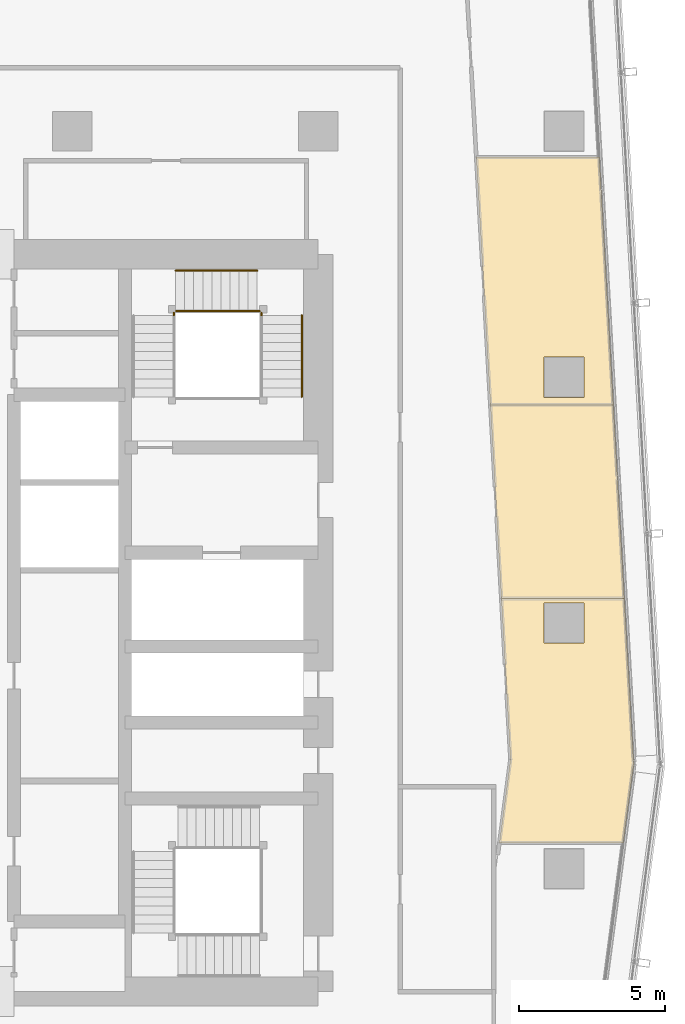
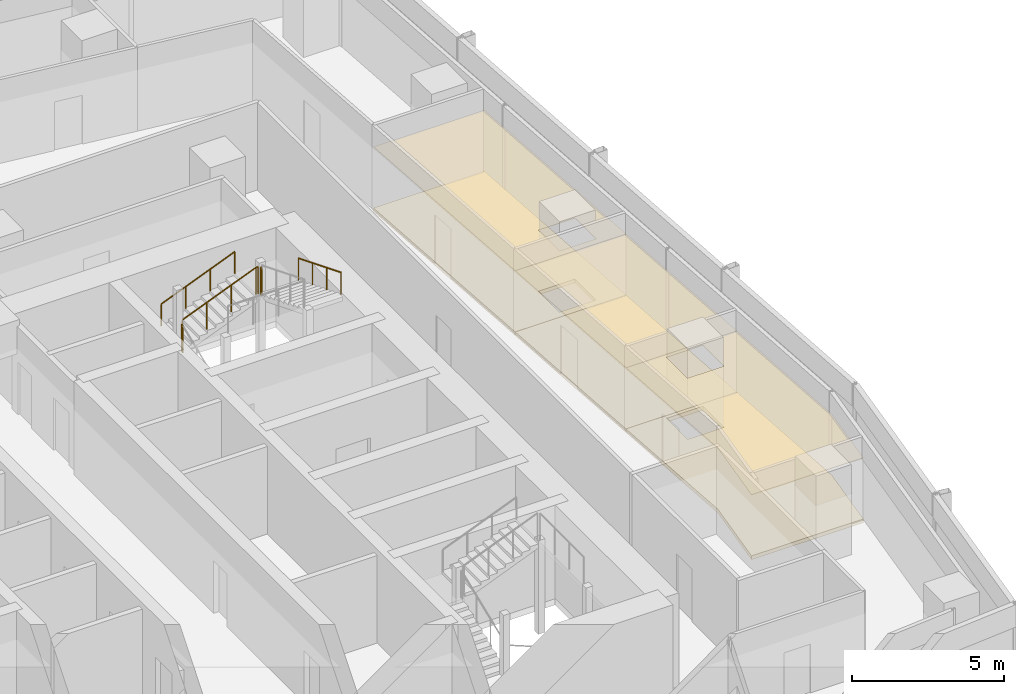
# One storey, part 37 of 38: 6 coverings, 6 railings.
"""IFC4 building model written with IfcOpenShell, lengths in metres."""

from ifc_helpers import new_model, si_unit, direction, frame, origin, origin_2d, place, context, subcontext, project, spatial, polyline, circle, outline, extrude, material, layer, layer_set, type_object, element, save


model = new_model("IFC4")

# Units and contexts
model_context = context("Model", 3, precision=1e-05, world=origin(), true_north=direction((0.0, 1.0)))
body_context = subcontext(model_context, "Body", "Model", "MODEL_VIEW")
ifc_project = project(units=[si_unit("LENGTHUNIT", "METRE"), si_unit("AREAUNIT", "SQUARE_METRE"), si_unit("VOLUMEUNIT", "CUBIC_METRE"), si_unit("PLANEANGLEUNIT", "RADIAN"), si_unit("MASSUNIT", "GRAM", prefix="KILO")], contexts=[model_context])

# Site, building, storey
site_placement = place(None, origin())
site = spatial("IfcSite", under=ifc_project, at=site_placement, CompositionType="ELEMENT")
building_placement = place(site_placement, origin())
building = spatial("IfcBuilding", under=site, at=building_placement, Name="Rekha Terrace Tower", CompositionType="ELEMENT")
storey_placement = place(building_placement, frame((0.0, 0.0, 202.699951171875)))
storey = spatial("IfcBuildingStorey", under=building, at=storey_placement, Name="L51", CompositionType="ELEMENT", Elevation=202.699951171875)

# Coverings
ifc_material_1 = material(Name="Mineral fibre tile in exposed grid", Category="finish")
ifc_layer_1 = layer(ifc_material_1, 0.02001953125)
ifc_layer_set_1 = layer_set([ifc_layer_1], Name="Mineral fibre tile in exposed grid")
covering_type_1 = type_object("IfcCoveringType", Name="CL1 600x1200 office grid ceiling", PredefinedType="CEILING", material=ifc_layer_set_1)
covering_1_placement = place(storey_placement, frame((0.0, 0.0, 2.580078125)))
element("IfcCovering", 1, at=covering_1_placement, inside=storey, type_object=covering_type_1, Name="Ceiling L51-03", PredefinedType="CEILING", context=body_context, shape_type="SweptSolid", body=[
    extrude(outline(polyline([(56.657958984375, 34.43310546875), (56.969970703125, 28.93798828125), (56.592041015625, 26.083984375), (60.8291015625, 26.083984375), (61.18603515625, 28.780029296875), (60.864990234375, 34.43310546875), (56.657958984375, 34.43310546875)]), holes=[polyline([(59.489990234375, 34.2900390625), (59.489990234375, 32.909912109375), (58.110107421875, 32.909912109375), (58.110107421875, 34.2900390625), (59.489990234375, 34.2900390625)])]), origin(), (0.0, 0.0, 1.0), 0.02001953125),
])
covering_2_placement = place(storey_placement, frame((0.0, 0.0, 2.580078125)))
element("IfcCovering", 2, at=covering_2_placement, inside=storey, type_object=covering_type_1, Name="Ceiling L51-04", PredefinedType="CEILING", context=body_context, shape_type="SweptSolid", body=[
    extrude(outline(polyline([(56.657958984375, 34.43408203125), (60.864990234375, 34.43408203125), (60.489013671875, 41.053955078125), (56.282958984375, 41.053955078125), (56.657958984375, 34.43408203125)])), origin(), (0.0, 0.0, 1.0), 0.02001953125),
])
covering_3_placement = place(storey_placement, frame((0.0, 0.0, 2.580078125)))
element("IfcCovering", 3, at=covering_3_placement, inside=storey, type_object=covering_type_1, Name="Ceiling L51-05", PredefinedType="CEILING", context=body_context, shape_type="SweptSolid", body=[
    extrude(outline(polyline([(56.282958984375, 41.054931640625), (60.489013671875, 41.054931640625), (60.009033203125, 49.52001953125), (55.802001953125, 49.52001953125), (56.282958984375, 41.054931640625)]), holes=[polyline([(59.489990234375, 41.31005859375), (58.110107421875, 41.31005859375), (58.110107421875, 42.68994140625), (59.489990234375, 42.68994140625), (59.489990234375, 41.31005859375)])]), origin(), (0.0, 0.0, 1.0), 0.02001953125),
])

# Railings
ifc_material_2 = material(Name="Stainless steel balustrade", Category="steel")
railing_type_1 = type_object("IfcRailingType", Name="GR1 1100 stair guard", PredefinedType="GUARDRAIL", material=ifc_material_2)
railing_1_placement = place(storey_placement, frame((45.52490234375, 44.260009765625, 1.375)))
element("IfcRailing", 4, at=railing_1_placement, inside=storey, type_object=railing_type_1, Name="Guard ST2 L51 flight 2", PredefinedType="GUARDRAIL", context=body_context, shape_type="SweptSolid", body=[
    extrude(circle(Radius=0.02392578125, at=origin_2d()), frame((0.0, 0.0, 1.076171875), z_axis=(0.927443287984, 0.0, 0.373963831907), x_axis=(0.0, 1.0, 0.0)), (0.0, 0.0, 1.0), 3.00830078125),
    extrude(circle(Radius=0.02099609375, at=origin_2d()), origin(), (0.0, 0.0, 1.0), 1.052001953125),
    extrude(circle(Radius=0.02099609375, at=origin_2d()), frame((0.929931640625, 0.0, 0.375)), (0.0, 0.0, 1.0), 1.052001953125),
    extrude(circle(Radius=0.02099609375, at=origin_2d()), frame((1.860107421875, 0.0, 0.75)), (0.0, 0.0, 1.0), 1.052001953125),
    extrude(circle(Radius=0.02099609375, at=origin_2d()), frame((2.7900390625, 0.0, 1.125)), (0.0, 0.0, 1.0), 1.052001953125),
])
railing_2_placement = place(storey_placement, frame((45.465087890625, 44.114990234375, 1.25)))
element("IfcRailing", 5, at=railing_2_placement, inside=storey, type_object=railing_type_1, Name="Guard ST2 L51 landing 1", PredefinedType="GUARDRAIL", context=body_context, shape_type="SweptSolid", body=[
    extrude(circle(Radius=0.02392578125, at=origin_2d()), frame((0.0, 0.0, 1.076171875), z_axis=(0.0, 1.0, 0.0), x_axis=(-1.0, 0.0, 0.0)), (0.0, 0.0, 1.0), 0.0849609375),
    extrude(circle(Radius=0.02099609375, at=origin_2d()), origin(), (0.0, 0.0, 1.0), 1.052001953125),
    extrude(circle(Radius=0.02099609375, at=origin_2d()), frame((0.0, 0.0849609375, 0.0)), (0.0, 0.0, 1.0), 1.052001953125),
])
railing_3_placement = place(storey_placement, frame((48.31494140625, 44.260009765625, 2.5)))
element("IfcRailing", 6, at=railing_3_placement, inside=storey, type_object=railing_type_1, Name="Guard ST2 L51 landing 2", PredefinedType="GUARDRAIL", context=body_context, shape_type="SweptSolid", body=[
    extrude(circle(Radius=0.02392578125, at=origin_2d()), frame((0.0, 0.0, 1.076171875), z_axis=(1.0, 0.0, 0.0), x_axis=(0.0, 1.0, 0.0)), (0.0, 0.0, 1.0), 0.0849609375),
    extrude(circle(Radius=0.02099609375, at=origin_2d()), origin(), (0.0, 0.0, 1.0), 1.052001953125),
    extrude(circle(Radius=0.02099609375, at=origin_2d()), frame((0.0849609375, 0.0, 0.0)), (0.0, 0.0, 1.0), 1.052001953125),
])
railing_4_placement = place(storey_placement, frame((48.4599609375, 44.114990234375, 2.5)))
element("IfcRailing", 7, at=railing_4_placement, inside=storey, type_object=railing_type_1, Name="Guard ST2 L51 landing 3", PredefinedType="GUARDRAIL", context=body_context, shape_type="SweptSolid", body=[
    extrude(circle(Radius=0.02392578125, at=origin_2d()), frame((0.0, 0.0, 1.076171875), z_axis=(0.0, 1.0, 0.0), x_axis=(-1.0, 0.0, 0.0)), (0.0, 0.0, 1.0), 0.0849609375),
    extrude(circle(Radius=0.02099609375, at=origin_2d()), origin(), (0.0, 0.0, 1.0), 1.052001953125),
    extrude(circle(Radius=0.02099609375, at=origin_2d()), frame((0.0, 0.0849609375, 0.0)), (0.0, 0.0, 1.0), 1.052001953125),
])
ifc_material_3 = material(Name="Stainless steel tube", Category="steel")
railing_type_2 = type_object("IfcRailingType", Name="HR1 900 stair handrail", PredefinedType="HANDRAIL", material=ifc_material_3)
railing_5_placement = place(storey_placement, frame((45.52490234375, 45.639892578125, 1.375)))
element("IfcRailing", 8, at=railing_5_placement, inside=storey, type_object=railing_type_2, Name="Handrail ST2 L51 flight 2", PredefinedType="HANDRAIL", context=body_context, shape_type="SweptSolid", body=[
    extrude(circle(Radius=0.02392578125, at=origin_2d()), frame((0.0, 0.0, 0.8759765625), z_axis=(0.927443287984, 0.0, 0.373963831907), x_axis=(0.0, 1.0, 0.0)), (0.0, 0.0, 1.0), 3.00830078125),
    extrude(circle(Radius=0.02099609375, at=origin_2d()), origin(), (0.0, 0.0, 1.0), 0.851806640625),
    extrude(circle(Radius=0.02099609375, at=origin_2d()), frame((0.929931640625, 0.0, 0.375)), (0.0, 0.0, 1.0), 0.851806640625),
    extrude(circle(Radius=0.02099609375, at=origin_2d()), frame((1.860107421875, 0.0, 0.75)), (0.0, 0.0, 1.0), 0.851806640625),
    extrude(circle(Radius=0.02099609375, at=origin_2d()), frame((2.7900390625, 0.0, 1.125)), (0.0, 0.0, 1.0), 0.851806640625),
])
railing_6_placement = place(storey_placement, frame((49.840087890625, 44.114990234375, 2.625)))
element("IfcRailing", 9, at=railing_6_placement, inside=storey, type_object=railing_type_2, Name="Handrail ST2 L51 flight 3", PredefinedType="HANDRAIL", context=body_context, shape_type="SweptSolid", body=[
    extrude(circle(Radius=0.02392578125, at=origin_2d()), frame((0.0, 0.0, 0.8759765625), z_axis=(0.0, -0.927443287984, 0.373963831907), x_axis=(1.0, 0.0, 0.0)), (0.0, 0.0, 1.0), 3.00830078125),
    extrude(circle(Radius=0.02099609375, at=origin_2d()), origin(), (0.0, 0.0, 1.0), 0.851806640625),
    extrude(circle(Radius=0.02099609375, at=origin_2d()), frame((0.0, -0.929931640625, 0.375)), (0.0, 0.0, 1.0), 0.851806640625),
    extrude(circle(Radius=0.02099609375, at=origin_2d()), frame((0.0, -1.860107421875, 0.75)), (0.0, 0.0, 1.0), 0.851806640625),
    extrude(circle(Radius=0.02099609375, at=origin_2d()), frame((0.0, -2.7900390625, 1.125)), (0.0, 0.0, 1.0), 0.851806640625),
])

# Coverings
ifc_material_4 = material(Name="Calcium sulphate panels on steel pedestals", Category="steel")
ifc_layer_2 = layer(ifc_material_4, 0.14990234375)
ifc_layer_set_2 = layer_set([ifc_layer_2], Name="Calcium sulphate panels on steel pedestals")
covering_type_2 = type_object("IfcCoveringType", Name="RF1 150 raised access floor", PredefinedType="FLOORING", material=ifc_layer_set_2)
covering_4_placement = place(storey_placement, origin())
element("IfcCovering", 10, at=covering_4_placement, inside=storey, type_object=covering_type_2, Name="Raised floor L51-03", PredefinedType="FLOORING", context=body_context, shape_type="SweptSolid", body=[
    extrude(outline(polyline([(56.657958984375, 34.43310546875), (56.969970703125, 28.93798828125), (56.592041015625, 26.083984375), (60.8291015625, 26.083984375), (61.18603515625, 28.780029296875), (60.864990234375, 34.43310546875), (56.657958984375, 34.43310546875)]), holes=[polyline([(59.489990234375, 34.2900390625), (59.489990234375, 32.909912109375), (58.110107421875, 32.909912109375), (58.110107421875, 34.2900390625), (59.489990234375, 34.2900390625)])]), origin(), (0.0, 0.0, 1.0), 0.150146484375),
])
covering_5_placement = place(storey_placement, origin())
element("IfcCovering", 11, at=covering_5_placement, inside=storey, type_object=covering_type_2, Name="Raised floor L51-04", PredefinedType="FLOORING", context=body_context, shape_type="SweptSolid", body=[
    extrude(outline(polyline([(56.657958984375, 34.43408203125), (60.864990234375, 34.43408203125), (60.489013671875, 41.053955078125), (56.282958984375, 41.053955078125), (56.657958984375, 34.43408203125)])), origin(), (0.0, 0.0, 1.0), 0.150146484375),
])
covering_6_placement = place(storey_placement, origin())
element("IfcCovering", 12, at=covering_6_placement, inside=storey, type_object=covering_type_2, Name="Raised floor L51-05", PredefinedType="FLOORING", context=body_context, shape_type="SweptSolid", body=[
    extrude(outline(polyline([(56.282958984375, 41.054931640625), (60.489013671875, 41.054931640625), (60.009033203125, 49.52001953125), (55.802001953125, 49.52001953125), (56.282958984375, 41.054931640625)]), holes=[polyline([(59.489990234375, 41.31005859375), (58.110107421875, 41.31005859375), (58.110107421875, 42.68994140625), (59.489990234375, 42.68994140625), (59.489990234375, 41.31005859375)])]), origin(), (0.0, 0.0, 1.0), 0.150146484375),
])

save(model, "model.ifc")
